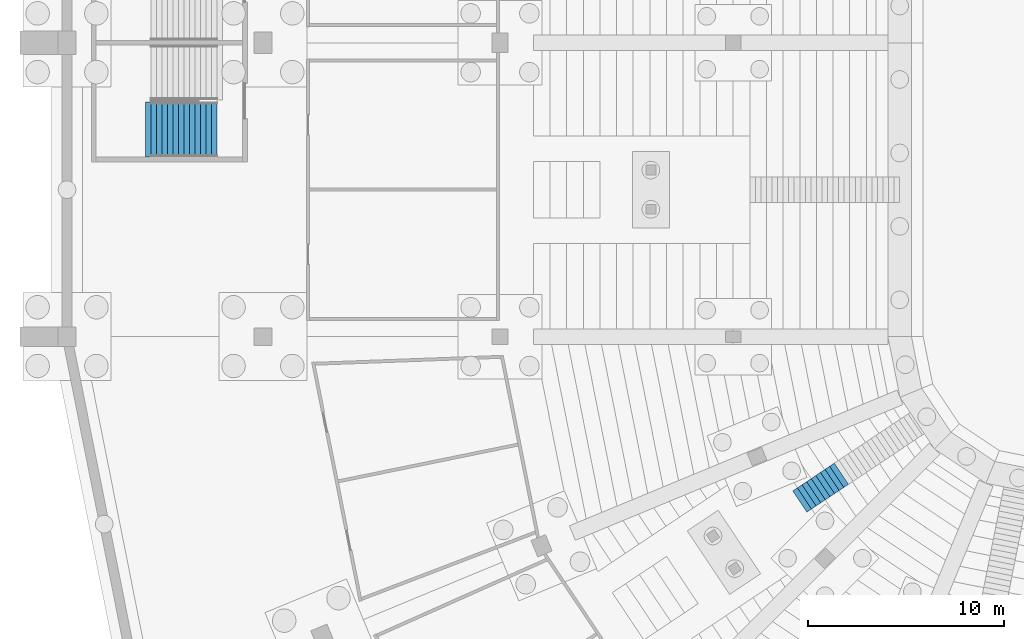
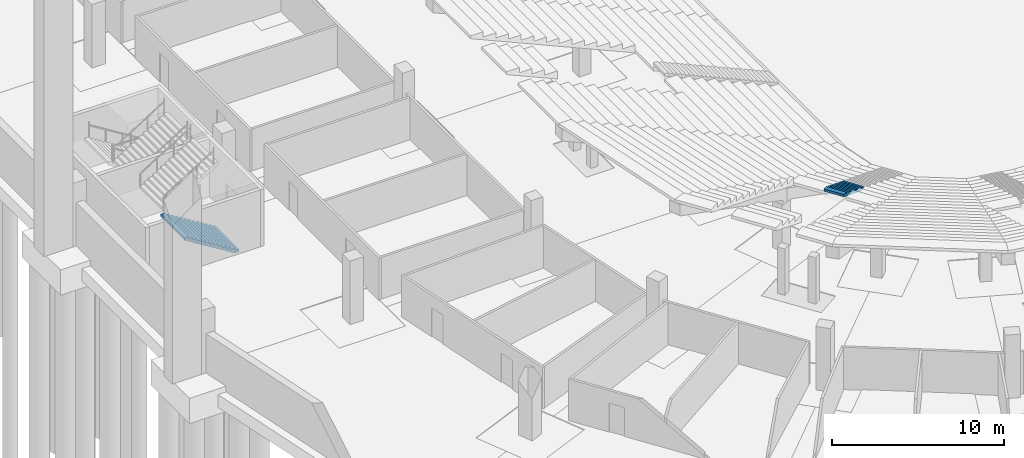
# One storey, part 62 of 115: 2 stair flights, 2 elements without a shape of their own.
"""IFC4 building model written with IfcOpenShell, lengths in metres."""

from ifc_helpers import new_model, si_unit, direction, frame, origin, place, context, subcontext, project, spatial, faceted_brep, material, type_object, element, aggregate, save


model = new_model("IFC4")

# Units and contexts
model_context = context("Model", 3, precision=1e-05, world=origin(), true_north=direction((0.0, 1.0)))
body_context = subcontext(model_context, "Body", "Model", "MODEL_VIEW")
ifc_project = project(units=[si_unit("LENGTHUNIT", "METRE"), si_unit("AREAUNIT", "SQUARE_METRE"), si_unit("VOLUMEUNIT", "CUBIC_METRE"), si_unit("PLANEANGLEUNIT", "RADIAN"), si_unit("MASSUNIT", "GRAM", prefix="KILO")], contexts=[model_context])

# Site, building, storey
site_placement = place(None, origin())
site = spatial("IfcSite", under=ifc_project, at=site_placement, CompositionType="ELEMENT")
building_placement = place(site_placement, origin())
building = spatial("IfcBuilding", under=site, at=building_placement, Name="Ogive Plaza Stadium", CompositionType="ELEMENT")
storey_placement = place(building_placement, frame((0.0, 0.0, -4.5)))
storey = spatial("IfcBuildingStorey", under=building, at=storey_placement, Name="B1", CompositionType="ELEMENT", Elevation=-4.5)

# Stair, stair flight
ifc_material_1 = material(Name="Concrete C40/50", Category="concrete")
stair_type_1 = type_object("IfcStairType", Name="Aisle stair", PredefinedType="STRAIGHT_RUN_STAIR", material=ifc_material_1)
stair_1_placement = place(storey_placement, origin())
stair_1 = element("IfcStair", 1, at=stair_1_placement, inside=storey, type_object=stair_type_1, Name="Aisle stair SA19D", PredefinedType="STRAIGHT_RUN_STAIR")
ifc_material_2 = material(Name="Concrete C40/50", Category="concrete")
stair_flight_type_1 = type_object("IfcStairFlightType", Name="Aisle stair flight", PredefinedType="STRAIGHT", material=ifc_material_2)
stair_flight_1_placement = place(storey_placement, frame((-44.4765625, -59.500244140625, 3.375), z_axis=(0.0, 0.0, 1.0), x_axis=(-0.831469612303, -0.55557023302, 0.0)))
stair_flight_1 = element("IfcStairFlight", 2, at=stair_flight_1_placement, type_object=stair_flight_type_1, Name="SA19D flight 2", NumberOfRisers=9, NumberOfTreads=8, PredefinedType="STRAIGHT", RiserHeight=0.125, TreadLength=0.283333333, context=body_context, shape_type="Brep", body=[
    faceted_brep([(0.371337890625, -0.64990234375, 0.0), (2.550048828125, -0.64990234375, 0.961181640625), (2.550048828125, -0.64990234375, 1.125), (2.2666015625, -0.64990234375, 1.125), (2.2666015625, -0.64990234375, 1.0), (1.9833984375, -0.64990234375, 1.0), (1.9833984375, -0.64990234375, 0.875), (1.699951171875, -0.64990234375, 0.875), (1.699951171875, -0.64990234375, 0.75), (1.416748046875, -0.64990234375, 0.75), (1.416748046875, -0.64990234375, 0.625), (1.13330078125, -0.64990234375, 0.625), (1.13330078125, -0.64990234375, 0.5), (0.85009765625, -0.64990234375, 0.5), (0.85009765625, -0.64990234375, 0.375), (0.566650390625, -0.64990234375, 0.375), (0.566650390625, -0.64990234375, 0.25), (0.283447265625, -0.64990234375, 0.25), (0.283447265625, -0.64990234375, 0.125), (0.0, -0.64990234375, 0.125), (0.0, -0.64990234375, 0.0), (0.0, 0.64990234375, 0.0), (0.0, 0.64990234375, 0.125), (0.283447265625, 0.64990234375, 0.125), (0.283447265625, 0.64990234375, 0.25), (0.566650390625, 0.64990234375, 0.25), (0.566650390625, 0.64990234375, 0.375), (0.85009765625, 0.64990234375, 0.375), (0.85009765625, 0.64990234375, 0.5), (1.13330078125, 0.64990234375, 0.5), (1.13330078125, 0.64990234375, 0.625), (1.416748046875, 0.64990234375, 0.625), (1.416748046875, 0.64990234375, 0.75), (1.699951171875, 0.64990234375, 0.75), (1.699951171875, 0.64990234375, 0.875), (1.9833984375, 0.64990234375, 0.875), (1.9833984375, 0.64990234375, 1.0), (2.2666015625, 0.64990234375, 1.0), (2.2666015625, 0.64990234375, 1.125), (2.550048828125, 0.64990234375, 1.125), (2.550048828125, 0.64990234375, 0.961181640625), (0.371337890625, 0.64990234375, 0.0), (0.371337890625, -0.324951171875, 0.0), (2.550048828125, -0.324951171875, 0.961181640625), (0.371337890625, 0.0, 0.0), (2.550048828125, 0.0, 0.961181640625), (0.371337890625, 0.324951171875, 0.0), (2.550048828125, 0.324951171875, 0.961181640625), (2.550048828125, -0.324951171875, 1.125), (2.550048828125, 0.0, 1.125), (2.550048828125, 0.324951171875, 1.125), (2.2666015625, -0.324951171875, 1.125), (2.2666015625, 0.0, 1.125), (2.2666015625, 0.324951171875, 1.125), (2.2666015625, -0.324951171875, 1.0), (2.2666015625, 0.0, 1.0), (2.2666015625, 0.324951171875, 1.0), (1.9833984375, -0.324951171875, 1.0), (1.9833984375, 0.0, 1.0), (1.9833984375, 0.324951171875, 1.0), (1.9833984375, -0.324951171875, 0.875), (1.9833984375, 0.0, 0.875), (1.9833984375, 0.324951171875, 0.875), (1.699951171875, -0.324951171875, 0.875), (1.699951171875, 0.0, 0.875), (1.699951171875, 0.324951171875, 0.875), (1.699951171875, -0.324951171875, 0.75), (1.699951171875, 0.0, 0.75), (1.699951171875, 0.324951171875, 0.75), (1.416748046875, -0.324951171875, 0.75), (1.416748046875, 0.0, 0.75), (1.416748046875, 0.324951171875, 0.75), (1.416748046875, -0.324951171875, 0.625), (1.416748046875, 0.0, 0.625), (1.416748046875, 0.324951171875, 0.625), (1.13330078125, -0.324951171875, 0.625), (1.13330078125, 0.0, 0.625), (1.13330078125, 0.324951171875, 0.625), (1.13330078125, -0.324951171875, 0.5), (1.13330078125, 0.0, 0.5), (1.13330078125, 0.324951171875, 0.5), (0.85009765625, -0.324951171875, 0.5), (0.85009765625, 0.0, 0.5), (0.85009765625, 0.324951171875, 0.5), (0.85009765625, -0.324951171875, 0.375), (0.85009765625, 0.0, 0.375), (0.85009765625, 0.324951171875, 0.375), (0.566650390625, -0.324951171875, 0.375), (0.566650390625, 0.0, 0.375), (0.566650390625, 0.324951171875, 0.375), (0.566650390625, -0.324951171875, 0.25), (0.566650390625, 0.0, 0.25), (0.566650390625, 0.324951171875, 0.25), (0.283447265625, -0.324951171875, 0.25), (0.283447265625, 0.0, 0.25), (0.283447265625, 0.324951171875, 0.25), (0.283447265625, -0.324951171875, 0.125), (0.283447265625, 0.0, 0.125), (0.283447265625, 0.324951171875, 0.125), (0.0, -0.324951171875, 0.125), (0.0, 0.0, 0.125), (0.0, 0.324951171875, 0.125), (0.0, -0.324951171875, 0.0), (0.0, 0.0, 0.0), (0.0, 0.324951171875, 0.0)], [[[0, 1, 2, 3, 4, 5, 6, 7, 8, 9, 10, 11, 12, 13, 14, 15, 16, 17, 18, 19, 20]], [[21, 22, 23, 24, 25, 26, 27, 28, 29, 30, 31, 32, 33, 34, 35, 36, 37, 38, 39, 40, 41]], [[0, 42, 43, 1]], [[42, 44, 45, 43]], [[44, 46, 47, 45]], [[46, 41, 40, 47]], [[1, 43, 48, 2]], [[43, 45, 49, 48]], [[45, 47, 50, 49]], [[47, 40, 39, 50]], [[2, 48, 51, 3]], [[48, 49, 52, 51]], [[49, 50, 53, 52]], [[50, 39, 38, 53]], [[3, 51, 54, 4]], [[51, 52, 55, 54]], [[52, 53, 56, 55]], [[53, 38, 37, 56]], [[4, 54, 57, 5]], [[54, 55, 58, 57]], [[55, 56, 59, 58]], [[56, 37, 36, 59]], [[5, 57, 60, 6]], [[57, 58, 61, 60]], [[58, 59, 62, 61]], [[59, 36, 35, 62]], [[6, 60, 63, 7]], [[60, 61, 64, 63]], [[61, 62, 65, 64]], [[62, 35, 34, 65]], [[7, 63, 66, 8]], [[63, 64, 67, 66]], [[64, 65, 68, 67]], [[65, 34, 33, 68]], [[8, 66, 69, 9]], [[66, 67, 70, 69]], [[67, 68, 71, 70]], [[68, 33, 32, 71]], [[9, 69, 72, 10]], [[69, 70, 73, 72]], [[70, 71, 74, 73]], [[71, 32, 31, 74]], [[10, 72, 75, 11]], [[72, 73, 76, 75]], [[73, 74, 77, 76]], [[74, 31, 30, 77]], [[11, 75, 78, 12]], [[75, 76, 79, 78]], [[76, 77, 80, 79]], [[77, 30, 29, 80]], [[12, 78, 81, 13]], [[78, 79, 82, 81]], [[79, 80, 83, 82]], [[80, 29, 28, 83]], [[13, 81, 84, 14]], [[81, 82, 85, 84]], [[82, 83, 86, 85]], [[83, 28, 27, 86]], [[14, 84, 87, 15]], [[84, 85, 88, 87]], [[85, 86, 89, 88]], [[86, 27, 26, 89]], [[15, 87, 90, 16]], [[87, 88, 91, 90]], [[88, 89, 92, 91]], [[89, 26, 25, 92]], [[16, 90, 93, 17]], [[90, 91, 94, 93]], [[91, 92, 95, 94]], [[92, 25, 24, 95]], [[17, 93, 96, 18]], [[93, 94, 97, 96]], [[94, 95, 98, 97]], [[95, 24, 23, 98]], [[18, 96, 99, 19]], [[96, 97, 100, 99]], [[97, 98, 101, 100]], [[98, 23, 22, 101]], [[19, 99, 102, 20]], [[99, 100, 103, 102]], [[100, 101, 104, 103]], [[101, 22, 21, 104]], [[20, 102, 42, 0]], [[102, 103, 44, 42]], [[103, 104, 46, 44]], [[104, 21, 41, 46]]]),
])
aggregate(stair_1, [stair_flight_1])

ifc_material_3 = material(Name="Concrete C40/50", Category="concrete")
stair_type_2 = type_object("IfcStairType", Name="Exit stair", PredefinedType="STRAIGHT_RUN_STAIR", material=ifc_material_3)
stair_2_placement = place(storey_placement, origin())
stair_2 = element("IfcStair", 3, at=stair_2_placement, inside=storey, type_object=stair_type_2, Name="Exit stair ST22B B1 to L00", PredefinedType="STRAIGHT_RUN_STAIR")
ifc_material_4 = material(Name="Concrete C40/50", Category="concrete")
stair_flight_type_2 = type_object("IfcStairFlightType", Name="Exit stair flight", PredefinedType="STRAIGHT", material=ifc_material_4)
stair_flight_2_placement = place(storey_placement, frame((-76.35009765625, -41.925048828125, 0.0), z_axis=(0.0, 0.0, 1.0), x_axis=(-1.0, 0.0, 0.0)))
stair_flight_2 = element("IfcStairFlight", 4, at=stair_flight_2_placement, type_object=stair_flight_type_2, Name="ST22B flight 1", NumberOfRisers=13, NumberOfTreads=12, PredefinedType="STRAIGHT", RiserHeight=0.173076923, TreadLength=0.28, context=body_context, shape_type="Brep", body=[
    faceted_brep([(0.28515625, -1.39990234375, 0.0), (3.639892578125, -1.39990234375, 2.07373046875), (3.639892578125, -1.39990234375, 2.25), (3.360107421875, -1.39990234375, 2.25), (3.360107421875, -1.39990234375, 2.076904296875), (3.080078125, -1.39990234375, 2.076904296875), (3.080078125, -1.39990234375, 1.90380859375), (2.800048828125, -1.39990234375, 1.90380859375), (2.800048828125, -1.39990234375, 1.730712890625), (2.52001953125, -1.39990234375, 1.730712890625), (2.52001953125, -1.39990234375, 1.5576171875), (2.239990234375, -1.39990234375, 1.5576171875), (2.239990234375, -1.39990234375, 1.384521484375), (1.9599609375, -1.39990234375, 1.384521484375), (1.9599609375, -1.39990234375, 1.21142578125), (1.679931640625, -1.39990234375, 1.21142578125), (1.679931640625, -1.39990234375, 1.03857421875), (1.39990234375, -1.39990234375, 1.03857421875), (1.39990234375, -1.39990234375, 0.865478515625), (1.1201171875, -1.39990234375, 0.865478515625), (1.1201171875, -1.39990234375, 0.6923828125), (0.840087890625, -1.39990234375, 0.6923828125), (0.840087890625, -1.39990234375, 0.519287109375), (0.56005859375, -1.39990234375, 0.519287109375), (0.56005859375, -1.39990234375, 0.34619140625), (0.280029296875, -1.39990234375, 0.34619140625), (0.280029296875, -1.39990234375, 0.173095703125), (0.0, -1.39990234375, 0.173095703125), (0.0, -1.39990234375, 0.0), (0.0, 1.39990234375, 0.0), (0.0, 1.39990234375, 0.173095703125), (0.280029296875, 1.39990234375, 0.173095703125), (0.280029296875, 1.39990234375, 0.34619140625), (0.56005859375, 1.39990234375, 0.34619140625), (0.56005859375, 1.39990234375, 0.519287109375), (0.840087890625, 1.39990234375, 0.519287109375), (0.840087890625, 1.39990234375, 0.6923828125), (1.1201171875, 1.39990234375, 0.6923828125), (1.1201171875, 1.39990234375, 0.865478515625), (1.39990234375, 1.39990234375, 0.865478515625), (1.39990234375, 1.39990234375, 1.03857421875), (1.679931640625, 1.39990234375, 1.03857421875), (1.679931640625, 1.39990234375, 1.21142578125), (1.9599609375, 1.39990234375, 1.21142578125), (1.9599609375, 1.39990234375, 1.384521484375), (2.239990234375, 1.39990234375, 1.384521484375), (2.239990234375, 1.39990234375, 1.5576171875), (2.52001953125, 1.39990234375, 1.5576171875), (2.52001953125, 1.39990234375, 1.730712890625), (2.800048828125, 1.39990234375, 1.730712890625), (2.800048828125, 1.39990234375, 1.90380859375), (3.080078125, 1.39990234375, 1.90380859375), (3.080078125, 1.39990234375, 2.076904296875), (3.360107421875, 1.39990234375, 2.076904296875), (3.360107421875, 1.39990234375, 2.25), (3.639892578125, 1.39990234375, 2.25), (3.639892578125, 1.39990234375, 2.07373046875), (0.28515625, 1.39990234375, 0.0), (0.28515625, -1.0888671875, 0.0), (3.639892578125, -1.0888671875, 2.07373046875), (0.28515625, -0.77783203125, 0.0), (3.639892578125, -0.77783203125, 2.07373046875), (0.28515625, -0.466796875, 0.0), (3.639892578125, -0.466796875, 2.07373046875), (0.28515625, -0.155517578125, 0.0), (3.639892578125, -0.155517578125, 2.07373046875), (0.28515625, 0.155517578125, 0.0), (3.639892578125, 0.155517578125, 2.07373046875), (0.28515625, 0.466796875, 0.0), (3.639892578125, 0.466796875, 2.07373046875), (0.28515625, 0.77783203125, 0.0), (3.639892578125, 0.77783203125, 2.07373046875), (0.28515625, 1.0888671875, 0.0), (3.639892578125, 1.0888671875, 2.07373046875), (3.639892578125, -1.0888671875, 2.25), (3.639892578125, -0.77783203125, 2.25), (3.639892578125, -0.466796875, 2.25), (3.639892578125, -0.155517578125, 2.25), (3.639892578125, 0.155517578125, 2.25), (3.639892578125, 0.466796875, 2.25), (3.639892578125, 0.77783203125, 2.25), (3.639892578125, 1.0888671875, 2.25), (3.360107421875, -1.0888671875, 2.25), (3.360107421875, -0.77783203125, 2.25), (3.360107421875, -0.466796875, 2.25), (3.360107421875, -0.155517578125, 2.25), (3.360107421875, 0.155517578125, 2.25), (3.360107421875, 0.466796875, 2.25), (3.360107421875, 0.77783203125, 2.25), (3.360107421875, 1.0888671875, 2.25), (3.360107421875, -1.0888671875, 2.076904296875), (3.360107421875, -0.77783203125, 2.076904296875), (3.360107421875, -0.466796875, 2.076904296875), (3.360107421875, -0.155517578125, 2.076904296875), (3.360107421875, 0.155517578125, 2.076904296875), (3.360107421875, 0.466796875, 2.076904296875), (3.360107421875, 0.77783203125, 2.076904296875), (3.360107421875, 1.0888671875, 2.076904296875), (3.080078125, -1.0888671875, 2.076904296875), (3.080078125, -0.77783203125, 2.076904296875), (3.080078125, -0.466796875, 2.076904296875), (3.080078125, -0.155517578125, 2.076904296875), (3.080078125, 0.155517578125, 2.076904296875), (3.080078125, 0.466796875, 2.076904296875), (3.080078125, 0.77783203125, 2.076904296875), (3.080078125, 1.0888671875, 2.076904296875), (3.080078125, -1.0888671875, 1.90380859375), (3.080078125, -0.77783203125, 1.90380859375), (3.080078125, -0.466796875, 1.90380859375), (3.080078125, -0.155517578125, 1.90380859375), (3.080078125, 0.155517578125, 1.90380859375), (3.080078125, 0.466796875, 1.90380859375), (3.080078125, 0.77783203125, 1.90380859375), (3.080078125, 1.0888671875, 1.90380859375), (2.800048828125, -1.0888671875, 1.90380859375), (2.800048828125, -0.77783203125, 1.90380859375), (2.800048828125, -0.466796875, 1.90380859375), (2.800048828125, -0.155517578125, 1.90380859375), (2.800048828125, 0.155517578125, 1.90380859375), (2.800048828125, 0.466796875, 1.90380859375), (2.800048828125, 0.77783203125, 1.90380859375), (2.800048828125, 1.0888671875, 1.90380859375), (2.800048828125, -1.0888671875, 1.730712890625), (2.800048828125, -0.77783203125, 1.730712890625), (2.800048828125, -0.466796875, 1.730712890625), (2.800048828125, -0.155517578125, 1.730712890625), (2.800048828125, 0.155517578125, 1.730712890625), (2.800048828125, 0.466796875, 1.730712890625), (2.800048828125, 0.77783203125, 1.730712890625), (2.800048828125, 1.0888671875, 1.730712890625), (2.52001953125, -1.0888671875, 1.730712890625), (2.52001953125, -0.77783203125, 1.730712890625), (2.52001953125, -0.466796875, 1.730712890625), (2.52001953125, -0.155517578125, 1.730712890625), (2.52001953125, 0.155517578125, 1.730712890625), (2.52001953125, 0.466796875, 1.730712890625), (2.52001953125, 0.77783203125, 1.730712890625), (2.52001953125, 1.0888671875, 1.730712890625), (2.52001953125, -1.0888671875, 1.5576171875), (2.52001953125, -0.77783203125, 1.5576171875), (2.52001953125, -0.466796875, 1.5576171875), (2.52001953125, -0.155517578125, 1.5576171875), (2.52001953125, 0.155517578125, 1.5576171875), (2.52001953125, 0.466796875, 1.5576171875), (2.52001953125, 0.77783203125, 1.5576171875), (2.52001953125, 1.0888671875, 1.5576171875), (2.239990234375, -1.0888671875, 1.5576171875), (2.239990234375, -0.77783203125, 1.5576171875), (2.239990234375, -0.466796875, 1.5576171875), (2.239990234375, -0.155517578125, 1.5576171875), (2.239990234375, 0.155517578125, 1.5576171875), (2.239990234375, 0.466796875, 1.5576171875), (2.239990234375, 0.77783203125, 1.5576171875), (2.239990234375, 1.0888671875, 1.5576171875), (2.239990234375, -1.0888671875, 1.384521484375), (2.239990234375, -0.77783203125, 1.384521484375), (2.239990234375, -0.466796875, 1.384521484375), (2.239990234375, -0.155517578125, 1.384521484375), (2.239990234375, 0.155517578125, 1.384521484375), (2.239990234375, 0.466796875, 1.384521484375), (2.239990234375, 0.77783203125, 1.384521484375), (2.239990234375, 1.0888671875, 1.384521484375), (1.9599609375, -1.0888671875, 1.384521484375), (1.9599609375, -0.77783203125, 1.384521484375), (1.9599609375, -0.466796875, 1.384521484375), (1.9599609375, -0.155517578125, 1.384521484375), (1.9599609375, 0.155517578125, 1.384521484375), (1.9599609375, 0.466796875, 1.384521484375), (1.9599609375, 0.77783203125, 1.384521484375), (1.9599609375, 1.0888671875, 1.384521484375), (1.9599609375, -1.0888671875, 1.21142578125), (1.9599609375, -0.77783203125, 1.21142578125), (1.9599609375, -0.466796875, 1.21142578125), (1.9599609375, -0.155517578125, 1.21142578125), (1.9599609375, 0.155517578125, 1.21142578125), (1.9599609375, 0.466796875, 1.21142578125), (1.9599609375, 0.77783203125, 1.21142578125), (1.9599609375, 1.0888671875, 1.21142578125), (1.679931640625, -1.0888671875, 1.21142578125), (1.679931640625, -0.77783203125, 1.21142578125), (1.679931640625, -0.466796875, 1.21142578125), (1.679931640625, -0.155517578125, 1.21142578125), (1.679931640625, 0.155517578125, 1.21142578125), (1.679931640625, 0.466796875, 1.21142578125), (1.679931640625, 0.77783203125, 1.21142578125), (1.679931640625, 1.0888671875, 1.21142578125), (1.679931640625, -1.0888671875, 1.03857421875), (1.679931640625, -0.77783203125, 1.03857421875), (1.679931640625, -0.466796875, 1.03857421875), (1.679931640625, -0.155517578125, 1.03857421875), (1.679931640625, 0.155517578125, 1.03857421875), (1.679931640625, 0.466796875, 1.03857421875), (1.679931640625, 0.77783203125, 1.03857421875), (1.679931640625, 1.0888671875, 1.03857421875), (1.39990234375, -1.0888671875, 1.03857421875), (1.39990234375, -0.77783203125, 1.03857421875), (1.39990234375, -0.466796875, 1.03857421875), (1.39990234375, -0.155517578125, 1.03857421875), (1.39990234375, 0.155517578125, 1.03857421875), (1.39990234375, 0.466796875, 1.03857421875), (1.39990234375, 0.77783203125, 1.03857421875), (1.39990234375, 1.0888671875, 1.03857421875), (1.39990234375, -1.0888671875, 0.865478515625), (1.39990234375, -0.77783203125, 0.865478515625), (1.39990234375, -0.466796875, 0.865478515625), (1.39990234375, -0.155517578125, 0.865478515625), (1.39990234375, 0.155517578125, 0.865478515625), (1.39990234375, 0.466796875, 0.865478515625), (1.39990234375, 0.77783203125, 0.865478515625), (1.39990234375, 1.0888671875, 0.865478515625), (1.1201171875, -1.0888671875, 0.865478515625), (1.1201171875, -0.77783203125, 0.865478515625), (1.1201171875, -0.466796875, 0.865478515625), (1.1201171875, -0.155517578125, 0.865478515625), (1.1201171875, 0.155517578125, 0.865478515625), (1.1201171875, 0.466796875, 0.865478515625), (1.1201171875, 0.77783203125, 0.865478515625), (1.1201171875, 1.0888671875, 0.865478515625), (1.1201171875, -1.0888671875, 0.6923828125), (1.1201171875, -0.77783203125, 0.6923828125), (1.1201171875, -0.466796875, 0.6923828125), (1.1201171875, -0.155517578125, 0.6923828125), (1.1201171875, 0.155517578125, 0.6923828125), (1.1201171875, 0.466796875, 0.6923828125), (1.1201171875, 0.77783203125, 0.6923828125), (1.1201171875, 1.0888671875, 0.6923828125), (0.840087890625, -1.0888671875, 0.6923828125), (0.840087890625, -0.77783203125, 0.6923828125), (0.840087890625, -0.466796875, 0.6923828125), (0.840087890625, -0.155517578125, 0.6923828125), (0.840087890625, 0.155517578125, 0.6923828125), (0.840087890625, 0.466796875, 0.6923828125), (0.840087890625, 0.77783203125, 0.6923828125), (0.840087890625, 1.0888671875, 0.6923828125), (0.840087890625, -1.0888671875, 0.519287109375), (0.840087890625, -0.77783203125, 0.519287109375), (0.840087890625, -0.466796875, 0.519287109375), (0.840087890625, -0.155517578125, 0.519287109375), (0.840087890625, 0.155517578125, 0.519287109375), (0.840087890625, 0.466796875, 0.519287109375), (0.840087890625, 0.77783203125, 0.519287109375), (0.840087890625, 1.0888671875, 0.519287109375), (0.56005859375, -1.0888671875, 0.519287109375), (0.56005859375, -0.77783203125, 0.519287109375), (0.56005859375, -0.466796875, 0.519287109375), (0.56005859375, -0.155517578125, 0.519287109375), (0.56005859375, 0.155517578125, 0.519287109375), (0.56005859375, 0.466796875, 0.519287109375), (0.56005859375, 0.77783203125, 0.519287109375), (0.56005859375, 1.0888671875, 0.519287109375), (0.56005859375, -1.0888671875, 0.34619140625), (0.56005859375, -0.77783203125, 0.34619140625), (0.56005859375, -0.466796875, 0.34619140625), (0.56005859375, -0.155517578125, 0.34619140625), (0.56005859375, 0.155517578125, 0.34619140625), (0.56005859375, 0.466796875, 0.34619140625), (0.56005859375, 0.77783203125, 0.34619140625), (0.56005859375, 1.0888671875, 0.34619140625), (0.280029296875, -1.0888671875, 0.34619140625), (0.280029296875, -0.77783203125, 0.34619140625), (0.280029296875, -0.466796875, 0.34619140625), (0.280029296875, -0.155517578125, 0.34619140625), (0.280029296875, 0.155517578125, 0.34619140625), (0.280029296875, 0.466796875, 0.34619140625), (0.280029296875, 0.77783203125, 0.34619140625), (0.280029296875, 1.0888671875, 0.34619140625), (0.280029296875, -1.0888671875, 0.173095703125), (0.280029296875, -0.77783203125, 0.173095703125), (0.280029296875, -0.466796875, 0.173095703125), (0.280029296875, -0.155517578125, 0.173095703125), (0.280029296875, 0.155517578125, 0.173095703125), (0.280029296875, 0.466796875, 0.173095703125), (0.280029296875, 0.77783203125, 0.173095703125), (0.280029296875, 1.0888671875, 0.173095703125), (0.0, -1.0888671875, 0.173095703125), (0.0, -0.77783203125, 0.173095703125), (0.0, -0.466796875, 0.173095703125), (0.0, -0.155517578125, 0.173095703125), (0.0, 0.155517578125, 0.173095703125), (0.0, 0.466796875, 0.173095703125), (0.0, 0.77783203125, 0.173095703125), (0.0, 1.0888671875, 0.173095703125), (0.0, -1.0888671875, 0.0), (0.0, -0.77783203125, 0.0), (0.0, -0.466796875, 0.0), (0.0, -0.155517578125, 0.0), (0.0, 0.155517578125, 0.0), (0.0, 0.466796875, 0.0), (0.0, 0.77783203125, 0.0), (0.0, 1.0888671875, 0.0)], [[[0, 1, 2, 3, 4, 5, 6, 7, 8, 9, 10, 11, 12, 13, 14, 15, 16, 17, 18, 19, 20, 21, 22, 23, 24, 25, 26, 27, 28]], [[29, 30, 31, 32, 33, 34, 35, 36, 37, 38, 39, 40, 41, 42, 43, 44, 45, 46, 47, 48, 49, 50, 51, 52, 53, 54, 55, 56, 57]], [[0, 58, 59, 1]], [[58, 60, 61, 59]], [[60, 62, 63, 61]], [[62, 64, 65, 63]], [[64, 66, 67, 65]], [[66, 68, 69, 67]], [[68, 70, 71, 69]], [[70, 72, 73, 71]], [[72, 57, 56, 73]], [[1, 59, 74, 2]], [[59, 61, 75, 74]], [[61, 63, 76, 75]], [[63, 65, 77, 76]], [[65, 67, 78, 77]], [[67, 69, 79, 78]], [[69, 71, 80, 79]], [[71, 73, 81, 80]], [[73, 56, 55, 81]], [[2, 74, 82, 3]], [[74, 75, 83, 82]], [[75, 76, 84, 83]], [[76, 77, 85, 84]], [[77, 78, 86, 85]], [[78, 79, 87, 86]], [[79, 80, 88, 87]], [[80, 81, 89, 88]], [[81, 55, 54, 89]], [[3, 82, 90, 4]], [[82, 83, 91, 90]], [[83, 84, 92, 91]], [[84, 85, 93, 92]], [[85, 86, 94, 93]], [[86, 87, 95, 94]], [[87, 88, 96, 95]], [[88, 89, 97, 96]], [[89, 54, 53, 97]], [[4, 90, 98, 5]], [[90, 91, 99, 98]], [[91, 92, 100, 99]], [[92, 93, 101, 100]], [[93, 94, 102, 101]], [[94, 95, 103, 102]], [[95, 96, 104, 103]], [[96, 97, 105, 104]], [[97, 53, 52, 105]], [[5, 98, 106, 6]], [[98, 99, 107, 106]], [[99, 100, 108, 107]], [[100, 101, 109, 108]], [[101, 102, 110, 109]], [[102, 103, 111, 110]], [[103, 104, 112, 111]], [[104, 105, 113, 112]], [[105, 52, 51, 113]], [[6, 106, 114, 7]], [[106, 107, 115, 114]], [[107, 108, 116, 115]], [[108, 109, 117, 116]], [[109, 110, 118, 117]], [[110, 111, 119, 118]], [[111, 112, 120, 119]], [[112, 113, 121, 120]], [[113, 51, 50, 121]], [[7, 114, 122, 8]], [[114, 115, 123, 122]], [[115, 116, 124, 123]], [[116, 117, 125, 124]], [[117, 118, 126, 125]], [[118, 119, 127, 126]], [[119, 120, 128, 127]], [[120, 121, 129, 128]], [[121, 50, 49, 129]], [[8, 122, 130, 9]], [[122, 123, 131, 130]], [[123, 124, 132, 131]], [[124, 125, 133, 132]], [[125, 126, 134, 133]], [[126, 127, 135, 134]], [[127, 128, 136, 135]], [[128, 129, 137, 136]], [[129, 49, 48, 137]], [[9, 130, 138, 10]], [[130, 131, 139, 138]], [[131, 132, 140, 139]], [[132, 133, 141, 140]], [[133, 134, 142, 141]], [[134, 135, 143, 142]], [[135, 136, 144, 143]], [[136, 137, 145, 144]], [[137, 48, 47, 145]], [[10, 138, 146, 11]], [[138, 139, 147, 146]], [[139, 140, 148, 147]], [[140, 141, 149, 148]], [[141, 142, 150, 149]], [[142, 143, 151, 150]], [[143, 144, 152, 151]], [[144, 145, 153, 152]], [[145, 47, 46, 153]], [[11, 146, 154, 12]], [[146, 147, 155, 154]], [[147, 148, 156, 155]], [[148, 149, 157, 156]], [[149, 150, 158, 157]], [[150, 151, 159, 158]], [[151, 152, 160, 159]], [[152, 153, 161, 160]], [[153, 46, 45, 161]], [[12, 154, 162, 13]], [[154, 155, 163, 162]], [[155, 156, 164, 163]], [[156, 157, 165, 164]], [[157, 158, 166, 165]], [[158, 159, 167, 166]], [[159, 160, 168, 167]], [[160, 161, 169, 168]], [[161, 45, 44, 169]], [[13, 162, 170, 14]], [[162, 163, 171, 170]], [[163, 164, 172, 171]], [[164, 165, 173, 172]], [[165, 166, 174, 173]], [[166, 167, 175, 174]], [[167, 168, 176, 175]], [[168, 169, 177, 176]], [[169, 44, 43, 177]], [[14, 170, 178, 15]], [[170, 171, 179, 178]], [[171, 172, 180, 179]], [[172, 173, 181, 180]], [[173, 174, 182, 181]], [[174, 175, 183, 182]], [[175, 176, 184, 183]], [[176, 177, 185, 184]], [[177, 43, 42, 185]], [[15, 178, 186, 16]], [[178, 179, 187, 186]], [[179, 180, 188, 187]], [[180, 181, 189, 188]], [[181, 182, 190, 189]], [[182, 183, 191, 190]], [[183, 184, 192, 191]], [[184, 185, 193, 192]], [[185, 42, 41, 193]], [[16, 186, 194, 17]], [[186, 187, 195, 194]], [[187, 188, 196, 195]], [[188, 189, 197, 196]], [[189, 190, 198, 197]], [[190, 191, 199, 198]], [[191, 192, 200, 199]], [[192, 193, 201, 200]], [[193, 41, 40, 201]], [[17, 194, 202, 18]], [[194, 195, 203, 202]], [[195, 196, 204, 203]], [[196, 197, 205, 204]], [[197, 198, 206, 205]], [[198, 199, 207, 206]], [[199, 200, 208, 207]], [[200, 201, 209, 208]], [[201, 40, 39, 209]], [[18, 202, 210, 19]], [[202, 203, 211, 210]], [[203, 204, 212, 211]], [[204, 205, 213, 212]], [[205, 206, 214, 213]], [[206, 207, 215, 214]], [[207, 208, 216, 215]], [[208, 209, 217, 216]], [[209, 39, 38, 217]], [[19, 210, 218, 20]], [[210, 211, 219, 218]], [[211, 212, 220, 219]], [[212, 213, 221, 220]], [[213, 214, 222, 221]], [[214, 215, 223, 222]], [[215, 216, 224, 223]], [[216, 217, 225, 224]], [[217, 38, 37, 225]], [[20, 218, 226, 21]], [[218, 219, 227, 226]], [[219, 220, 228, 227]], [[220, 221, 229, 228]], [[221, 222, 230, 229]], [[222, 223, 231, 230]], [[223, 224, 232, 231]], [[224, 225, 233, 232]], [[225, 37, 36, 233]], [[21, 226, 234, 22]], [[226, 227, 235, 234]], [[227, 228, 236, 235]], [[228, 229, 237, 236]], [[229, 230, 238, 237]], [[230, 231, 239, 238]], [[231, 232, 240, 239]], [[232, 233, 241, 240]], [[233, 36, 35, 241]], [[22, 234, 242, 23]], [[234, 235, 243, 242]], [[235, 236, 244, 243]], [[236, 237, 245, 244]], [[237, 238, 246, 245]], [[238, 239, 247, 246]], [[239, 240, 248, 247]], [[240, 241, 249, 248]], [[241, 35, 34, 249]], [[23, 242, 250, 24]], [[242, 243, 251, 250]], [[243, 244, 252, 251]], [[244, 245, 253, 252]], [[245, 246, 254, 253]], [[246, 247, 255, 254]], [[247, 248, 256, 255]], [[248, 249, 257, 256]], [[249, 34, 33, 257]], [[24, 250, 258, 25]], [[250, 251, 259, 258]], [[251, 252, 260, 259]], [[252, 253, 261, 260]], [[253, 254, 262, 261]], [[254, 255, 263, 262]], [[255, 256, 264, 263]], [[256, 257, 265, 264]], [[257, 33, 32, 265]], [[25, 258, 266, 26]], [[258, 259, 267, 266]], [[259, 260, 268, 267]], [[260, 261, 269, 268]], [[261, 262, 270, 269]], [[262, 263, 271, 270]], [[263, 264, 272, 271]], [[264, 265, 273, 272]], [[265, 32, 31, 273]], [[26, 266, 274, 27]], [[266, 267, 275, 274]], [[267, 268, 276, 275]], [[268, 269, 277, 276]], [[269, 270, 278, 277]], [[270, 271, 279, 278]], [[271, 272, 280, 279]], [[272, 273, 281, 280]], [[273, 31, 30, 281]], [[27, 274, 282, 28]], [[274, 275, 283, 282]], [[275, 276, 284, 283]], [[276, 277, 285, 284]], [[277, 278, 286, 285]], [[278, 279, 287, 286]], [[279, 280, 288, 287]], [[280, 281, 289, 288]], [[281, 30, 29, 289]], [[28, 282, 58, 0]], [[282, 283, 60, 58]], [[283, 284, 62, 60]], [[284, 285, 64, 62]], [[285, 286, 66, 64]], [[286, 287, 68, 66]], [[287, 288, 70, 68]], [[288, 289, 72, 70]], [[289, 29, 57, 72]]]),
])
aggregate(stair_2, [stair_flight_2])

save(model, "model.ifc")
